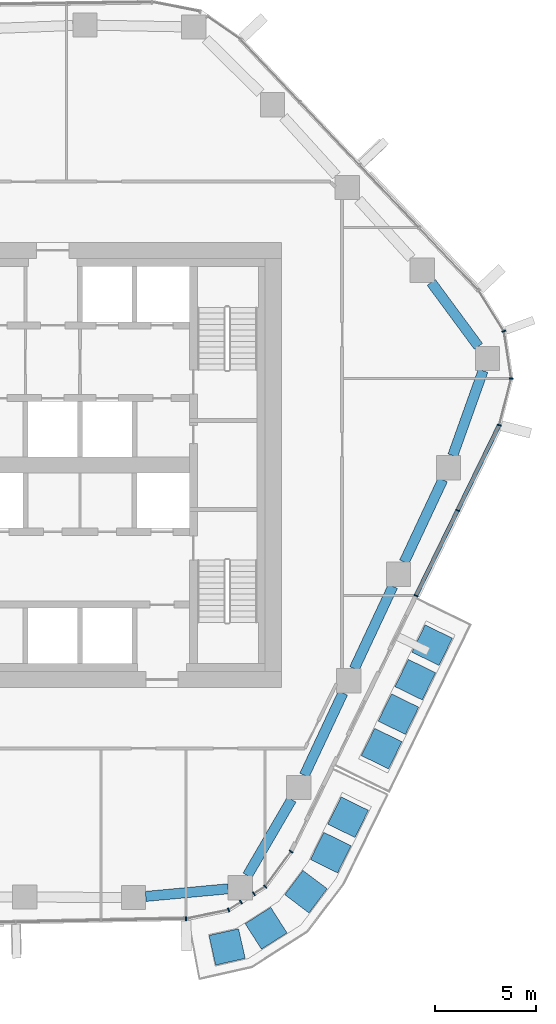
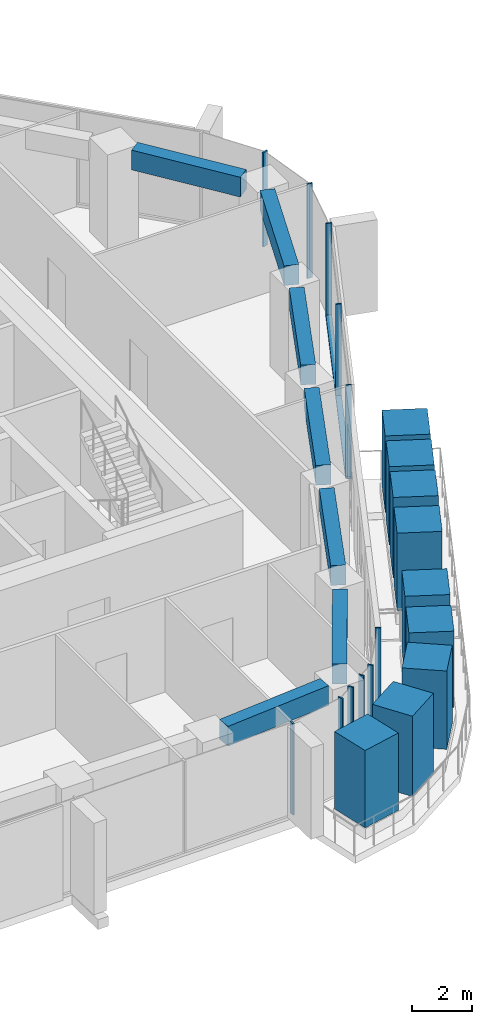
# One storey, part 5 of 18: 21 members, 7 beams, 5 elements without a shape of their own.
"""IFC4 building model written with IfcOpenShell, lengths in metres."""

from ifc_helpers import new_model, si_unit, direction, frame, origin, origin_2d, place, context, subcontext, project, spatial, rectangle, extrude, material, layer, layer_set, material_profile, profile_set, type_object, element, aggregate, save


model = new_model("IFC4")

# Units and contexts
model_context = context("Model", 3, precision=1e-05, world=origin(), true_north=direction((0.0, 1.0)))
body_context = subcontext(model_context, "Body", "Model", "MODEL_VIEW")
ifc_project = project(units=[si_unit("LENGTHUNIT", "METRE"), si_unit("AREAUNIT", "SQUARE_METRE"), si_unit("VOLUMEUNIT", "CUBIC_METRE"), si_unit("PLANEANGLEUNIT", "RADIAN"), si_unit("MASSUNIT", "GRAM", prefix="KILO")], contexts=[model_context])

# Site, building, storey
site_placement = place(None, origin())
site = spatial("IfcSite", under=ifc_project, at=site_placement, CompositionType="ELEMENT")
building_placement = place(site_placement, origin())
building = spatial("IfcBuilding", under=site, at=building_placement, Name="Dongbaek Canopy Tower", CompositionType="ELEMENT")
storey_placement = place(building_placement, frame((0.0, 0.0, 162.800048828125)))
storey = spatial("IfcBuildingStorey", under=building, at=storey_placement, Name="L35", CompositionType="ELEMENT", Elevation=162.800048828125)

# Curtain wall, members
ifc_material_1 = material(Name="Aluminium 6063-T6 pale anodised", Category="aluminium")
ifc_layer = layer(ifc_material_1, 0.199951171875)
ifc_layer_set = layer_set([ifc_layer], Name="CW-1 unitised tower curtain wall")
curtain_wall_type = type_object("IfcCurtainWallType", Name="CW-1 unitised tower curtain wall", PredefinedType="NOTDEFINED", material=ifc_layer_set)
curtain_wall_1_placement = place(storey_placement, origin())
curtain_wall_1 = element("IfcCurtainWall", 1, at=curtain_wall_1_placement, inside=storey, type_object=curtain_wall_type, Name="CW-1 curtain wall K0.1", PredefinedType="NOTDEFINED")
ifc_material_2 = material(Name="Aluminium 6063-T6 pale anodised", Category="aluminium")
ifc_material_profile_1 = material_profile(ifc_material_2, rectangle(XDim=0.199951171875, YDim=0.06005859375, at=origin_2d()), Name="CW-1 mullion 60 x 200")
ifc_profile_set_1 = profile_set([ifc_material_profile_1], Name="Aluminium 6063-T6 pale anodised")
member_type_1 = type_object("IfcMemberType", Name="CW-1 mullion 60 x 200", PredefinedType="MULLION", material=ifc_profile_set_1)
member_1_placement = place(storey_placement, frame((24.76123046875, 1.9658203125, 0.0), z_axis=(0.0, 0.0, 1.0), x_axis=(0.968425118829, -0.249304611313, 0.0)))
member_1 = element("IfcMember", 2, at=member_1_placement, type_object=member_type_1, Name="CW-1 mullion K0.1.1", PredefinedType="MULLION", context=body_context, shape_type="SweptSolid", body=[
    extrude(rectangle(XDim=0.199951171875, YDim=0.06005859375, at=origin_2d()), origin(), (0.0, 0.0, 1.0), 3.820068359375),
])
member_2_placement = place(storey_placement, frame((25.354248046875, 4.26953125, 0.0), z_axis=(0.0, 0.0, 1.0), x_axis=(0.998759637263, -0.04979143475, 0.0)))
member_2 = element("IfcMember", 3, at=member_2_placement, type_object=member_type_1, Name="CW-1 mullion K0.1.2", PredefinedType="MULLION", context=body_context, shape_type="SweptSolid", body=[
    extrude(rectangle(XDim=0.199951171875, YDim=0.06005859375, at=origin_2d()), origin(), (0.0, 0.0, 1.0), 3.820068359375),
])
member_3_placement = place(storey_placement, frame((24.994873046875, 6.6103515625, 0.0), z_axis=(0.0, 0.0, 1.0), x_axis=(0.937824276547, 0.347110395003, 0.0)))
member_3 = element("IfcMember", 4, at=member_3_placement, type_object=member_type_1, Name="CW-1 mullion K0.1.3", PredefinedType="MULLION", context=body_context, shape_type="SweptSolid", body=[
    extrude(rectangle(XDim=0.199951171875, YDim=0.06005859375, at=origin_2d()), origin(), (0.0, 0.0, 1.0), 3.820068359375),
])
aggregate(curtain_wall_1, [member_1, member_2, member_3])

# Curtain wall, member
curtain_wall_2_placement = place(storey_placement, origin())
curtain_wall_2 = element("IfcCurtainWall", 5, at=curtain_wall_2_placement, inside=storey, type_object=curtain_wall_type, Name="CW-1 curtain wall F4.1", PredefinedType="NOTDEFINED")
member_4_placement = place(storey_placement, frame((9.2841796875, -22.41845703125, 0.119873046875), z_axis=(0.0, 0.0, 1.0), x_axis=(0.020514717954, -0.999789551029, 0.0)))
member_4 = element("IfcMember", 6, at=member_4_placement, type_object=member_type_1, Name="CW-1 mullion F4.1.5", PredefinedType="MULLION", context=body_context, shape_type="SweptSolid", body=[
    extrude(rectangle(XDim=0.199951171875, YDim=0.06005859375, at=origin_2d()), origin(), (0.0, 0.0, 1.0), 3.7001953125),
])
aggregate(curtain_wall_2, [member_4])

# Curtain wall, members
curtain_wall_3_placement = place(storey_placement, origin())
curtain_wall_3 = element("IfcCurtainWall", 7, at=curtain_wall_3_placement, inside=storey, type_object=curtain_wall_type, Name="CW-1 curtain wall K5.1a", PredefinedType="NOTDEFINED")
member_5_placement = place(storey_placement, frame((11.392578125, -21.98388671875, 0.0), z_axis=(0.0, 0.0, 1.0), x_axis=(0.376398173311, -0.92645799426, 0.0)))
member_5 = element("IfcMember", 8, at=member_5_placement, type_object=member_type_1, Name="CW-1 mullion K5.1a.2", PredefinedType="MULLION", context=body_context, shape_type="SweptSolid", body=[
    extrude(rectangle(XDim=0.199951171875, YDim=0.06005859375, at=origin_2d()), origin(), (0.0, 0.0, 1.0), 3.820068359375),
])
member_6_placement = place(storey_placement, frame((12.001953125, -21.594482421875, 0.0), z_axis=(0.0, 0.0, 1.0), x_axis=(0.538452968789, -0.842655564511, 0.0)))
member_6 = element("IfcMember", 9, at=member_6_placement, type_object=member_type_1, Name="CW-1 mullion K5.1a.3", PredefinedType="MULLION", context=body_context, shape_type="SweptSolid", body=[
    extrude(rectangle(XDim=0.199951171875, YDim=0.06005859375, at=origin_2d()), origin(), (0.0, 0.0, 1.0), 3.820068359375),
])
aggregate(curtain_wall_3, [member_5, member_6])

curtain_wall_4_placement = place(storey_placement, origin())
curtain_wall_4 = element("IfcCurtainWall", 10, at=curtain_wall_4_placement, inside=storey, type_object=curtain_wall_type, Name="CW-1 curtain wall K5.1b", PredefinedType="NOTDEFINED")
member_7_placement = place(storey_placement, frame((12.64208984375, -21.185546875, 0.0), z_axis=(0.0, 0.0, 1.0), x_axis=(0.538452968789, -0.842655564511, 0.0)))
member_7 = element("IfcMember", 11, at=member_7_placement, type_object=member_type_1, Name="CW-1 mullion K5.1b.1", PredefinedType="MULLION", context=body_context, shape_type="SweptSolid", body=[
    extrude(rectangle(XDim=0.199951171875, YDim=0.06005859375, at=origin_2d()), origin(), (0.0, 0.0, 1.0), 3.820068359375),
])
member_8_placement = place(storey_placement, frame((13.198486328125, -20.830078125, 0.0), z_axis=(0.0, 0.0, 1.0), x_axis=(0.682585570445, -0.730805678016, 0.0)))
member_8 = element("IfcMember", 12, at=member_8_placement, type_object=member_type_1, Name="CW-1 mullion K5.1b.2", PredefinedType="MULLION", context=body_context, shape_type="SweptSolid", body=[
    extrude(rectangle(XDim=0.199951171875, YDim=0.06005859375, at=origin_2d()), origin(), (0.0, 0.0, 1.0), 3.820068359375),
])
member_9_placement = place(storey_placement, frame((14.478515625, -19.099365234375, 0.0), z_axis=(0.0, 0.0, 1.0), x_axis=(0.803998581724, -0.594631213935, 0.0)))
member_9 = element("IfcMember", 13, at=member_9_placement, type_object=member_type_1, Name="CW-1 mullion K5.1b.3", PredefinedType="MULLION", context=body_context, shape_type="SweptSolid", body=[
    extrude(rectangle(XDim=0.199951171875, YDim=0.06005859375, at=origin_2d()), origin(), (0.0, 0.0, 1.0), 3.820068359375),
])
aggregate(curtain_wall_4, [member_7, member_8, member_9])

curtain_wall_5_placement = place(storey_placement, origin())
curtain_wall_5 = element("IfcCurtainWall", 14, at=curtain_wall_5_placement, inside=storey, type_object=curtain_wall_type, Name="CW-1 curtain wall F5.1", PredefinedType="NOTDEFINED")
member_10_placement = place(storey_placement, frame((20.649169921875, -6.4580078125, 0.119873046875), z_axis=(0.0, 0.0, 1.0), x_axis=(0.898650818606, -0.438664685403, 0.0)))
member_10 = element("IfcMember", 15, at=member_10_placement, type_object=member_type_1, Name="CW-1 mullion F5.1.1", PredefinedType="MULLION", context=body_context, shape_type="SweptSolid", body=[
    extrude(rectangle(XDim=0.199951171875, YDim=0.06005859375, at=origin_2d()), origin(), (0.0, 0.0, 1.0), 3.7001953125),
])
member_11_placement = place(storey_placement, frame((22.707275390625, -2.241455078125, 0.119873046875), z_axis=(0.0, 0.0, 1.0), x_axis=(0.898650818606, -0.438664685403, 0.0)))
member_11 = element("IfcMember", 16, at=member_11_placement, type_object=member_type_1, Name="CW-1 mullion F5.1.2", PredefinedType="MULLION", context=body_context, shape_type="SweptSolid", body=[
    extrude(rectangle(XDim=0.199951171875, YDim=0.06005859375, at=origin_2d()), origin(), (0.0, 0.0, 1.0), 3.7001953125),
])
ifc_material_3 = material(Name="Aluminium 6063-T6 pale anodised", Category="aluminium")
ifc_material_profile_2 = material_profile(ifc_material_3, rectangle(XDim=0.199951171875, YDim=0.1201171875, at=origin_2d()), Name="CW-1 transom 120 x 200")
ifc_profile_set_2 = profile_set([ifc_material_profile_2], Name="Aluminium 6063-T6 pale anodised")
member_type_2 = type_object("IfcMemberType", Name="CW-1 transom 120 x 200", PredefinedType="USERDEFINED", material=ifc_profile_set_2)
member_12_placement = place(storey_placement, frame((20.649169921875, -6.4580078125, 0.06005859375), z_axis=(0.438671459596, 0.89864751184, 0.0), x_axis=(-0.89864751184, 0.438671459596, 0.0)))
member_12 = element("IfcMember", 17, at=member_12_placement, type_object=member_type_2, Name="CW-1 transom F5.1.1", ObjectType="TRANSOM", PredefinedType="USERDEFINED", context=body_context, shape_type="SweptSolid", body=[
    extrude(rectangle(XDim=0.199951171875, YDim=0.1201171875, at=origin_2d()), origin(), (0.0, 0.0, 1.0), 9.373779296875),
])
aggregate(curtain_wall_5, [member_10, member_11, member_12])

# Beams
ifc_material_4 = material(Name="Concrete C70", Category="concrete")
ifc_material_profile_3 = material_profile(ifc_material_4, rectangle(XDim=0.5, YDim=0.800048828125, at=origin_2d()), Name="RC EDGE BEAM 500x800 C70")
ifc_profile_set_3 = profile_set([ifc_material_profile_3], Name="Concrete C70")
beam_type = type_object("IfcBeamType", Name="RC EDGE BEAM 500x800 C70", PredefinedType="BEAM", material=ifc_profile_set_3)
beam_1_placement = place(storey_placement, frame((11.3720703125, -20.9404296875, 3.419921875), z_axis=(-0.995763065099, -0.091956066598, 0.0), x_axis=(0.091956066598, -0.995763065099, 0.0)))
element("IfcBeam", 18, at=beam_1_placement, inside=storey, type_object=beam_type, Name="EDGEBEAM:L35:00", PredefinedType="BEAM", context=body_context, shape_type="SweptSolid", body=[
    extrude(rectangle(XDim=0.5, YDim=0.800048828125, at=origin_2d()), origin(), (0.0, 0.0, 1.0), 4.09130859375),
])
beam_2_placement = place(storey_placement, frame((21.402587890625, 9.02099609375, 3.419921875), z_axis=(0.593743199573, -0.804654592332, 0.0), x_axis=(0.804654592332, 0.593743199573, 0.0)))
element("IfcBeam", 19, at=beam_2_placement, inside=storey, type_object=beam_type, Name="EDGEBEAM:L35:20", PredefinedType="BEAM", context=body_context, shape_type="SweptSolid", body=[
    extrude(rectangle(XDim=0.5, YDim=0.800048828125, at=origin_2d()), origin(), (0.0, 0.0, 1.0), 3.93212890625),
])
beam_3_placement = place(storey_placement, frame((23.965576171875, 4.656982421875, 3.419921875), z_axis=(-0.336398951073, -0.941719568511, 0.0), x_axis=(0.941719568511, -0.336398951073, 0.0)))
element("IfcBeam", 20, at=beam_3_placement, inside=storey, type_object=beam_type, Name="EDGEBEAM:L35:21", PredefinedType="BEAM", context=body_context, shape_type="SweptSolid", body=[
    extrude(rectangle(XDim=0.5, YDim=0.800048828125, at=origin_2d()), origin(), (0.0, 0.0, 1.0), 4.4501953125),
])
beam_4_placement = place(storey_placement, frame((21.972900390625, -0.73388671875, 3.419921875), z_axis=(-0.424114752544, -0.905608456605, 0.0), x_axis=(0.905608456605, -0.424114752544, 0.0)))
element("IfcBeam", 21, at=beam_4_placement, inside=storey, type_object=beam_type, Name="EDGEBEAM:L35:22", PredefinedType="BEAM", context=body_context, shape_type="SweptSolid", body=[
    extrude(rectangle(XDim=0.5, YDim=0.800048828125, at=origin_2d()), origin(), (0.0, 0.0, 1.0), 4.489013671875),
])
beam_5_placement = place(storey_placement, frame((19.507080078125, -5.9990234375, 3.419921875), z_axis=(-0.424057758342, -0.905635145956, 0.0), x_axis=(0.905635145956, -0.424057758342, 0.0)))
element("IfcBeam", 22, at=beam_5_placement, inside=storey, type_object=beam_type, Name="EDGEBEAM:L35:23", PredefinedType="BEAM", context=body_context, shape_type="SweptSolid", body=[
    extrude(rectangle(XDim=0.5, YDim=0.800048828125, at=origin_2d()), origin(), (0.0, 0.0, 1.0), 4.49072265625),
])
beam_6_placement = place(storey_placement, frame((17.041015625, -11.26611328125, 3.419921875), z_axis=(-0.424275059541, -0.905533364295, 0.0), x_axis=(0.905533364295, -0.424275059541, 0.0)))
element("IfcBeam", 23, at=beam_6_placement, inside=storey, type_object=beam_type, Name="EDGEBEAM:L35:24", PredefinedType="BEAM", context=body_context, shape_type="SweptSolid", body=[
    extrude(rectangle(XDim=0.5, YDim=0.800048828125, at=origin_2d()), origin(), (0.0, 0.0, 1.0), 4.489990234375),
])
beam_7_placement = place(storey_placement, frame((14.505859375, -16.531982421875, 3.419921875), z_axis=(-0.503073799677, -0.864243456486, 0.0), x_axis=(0.864243456486, -0.503073799677, 0.0)))
element("IfcBeam", 24, at=beam_7_placement, inside=storey, type_object=beam_type, Name="EDGEBEAM:L35:25", PredefinedType="BEAM", context=body_context, shape_type="SweptSolid", body=[
    extrude(rectangle(XDim=0.5, YDim=0.800048828125, at=origin_2d()), origin(), (0.0, 0.0, 1.0), 4.342529296875),
])

# Members
ifc_material_5 = material(Name="Concrete C40/50 planter mass with planting", Category="concrete")
ifc_material_profile_4 = material_profile(ifc_material_5, rectangle(XDim=1.5, YDim=1.5, at=origin_2d()), Name="Terrace PLANTER shrub mass 1500 x 1500")
ifc_profile_set_4 = profile_set([ifc_material_profile_4], Name="Concrete C40/50 planter mass with planting")
member_type_3 = type_object("IfcMemberType", Name="Terrace PLANTER shrub mass 1500 x 1500", PredefinedType="USERDEFINED", material=ifc_profile_set_4)
member_13_placement = place(storey_placement, frame((18.951904296875, -14.015625, 0.419921875), z_axis=(0.0, 0.0, 1.0), x_axis=(0.898650818606, -0.438664685403, 0.0)))
element("IfcMember", 25, at=member_13_placement, inside=storey, type_object=member_type_3, Name="Planter shrubs L35 2.1", ObjectType="PLANTER", PredefinedType="USERDEFINED", context=body_context, shape_type="SweptSolid", body=[
    extrude(rectangle(XDim=1.5, YDim=1.5, at=origin_2d()), origin(), (0.0, 0.0, 1.0), 3.130126953125),
])
member_14_placement = place(storey_placement, frame((19.78369140625, -12.311767578125, 0.419921875), z_axis=(0.0, 0.0, 1.0), x_axis=(0.898650818606, -0.438664685403, 0.0)))
element("IfcMember", 26, at=member_14_placement, inside=storey, type_object=member_type_3, Name="Planter shrubs L35 2.2", ObjectType="PLANTER", PredefinedType="USERDEFINED", context=body_context, shape_type="SweptSolid", body=[
    extrude(rectangle(XDim=1.5, YDim=1.5, at=origin_2d()), origin(), (0.0, 0.0, 1.0), 3.25),
])
member_15_placement = place(storey_placement, frame((20.615234375, -10.60791015625, 0.419921875), z_axis=(0.0, 0.0, 1.0), x_axis=(0.898650818606, -0.438664685403, 0.0)))
element("IfcMember", 27, at=member_15_placement, inside=storey, type_object=member_type_3, Name="Planter shrubs L35 2.3", ObjectType="PLANTER", PredefinedType="USERDEFINED", context=body_context, shape_type="SweptSolid", body=[
    extrude(rectangle(XDim=1.5, YDim=1.5, at=origin_2d()), origin(), (0.0, 0.0, 1.0), 3.169921875),
])
member_16_placement = place(storey_placement, frame((21.447021484375, -8.904052734375, 0.419921875), z_axis=(0.0, 0.0, 1.0), x_axis=(0.898650818606, -0.438664685403, 0.0)))
element("IfcMember", 28, at=member_16_placement, inside=storey, type_object=member_type_3, Name="Planter shrubs L35 2.4", ObjectType="PLANTER", PredefinedType="USERDEFINED", context=body_context, shape_type="SweptSolid", body=[
    extrude(rectangle(XDim=1.5, YDim=1.5, at=origin_2d()), origin(), (0.0, 0.0, 1.0), 3.090087890625),
])
member_17_placement = place(storey_placement, frame((11.31689453125, -23.812744140625, 0.419921875), z_axis=(0.0, 0.0, 1.0), x_axis=(0.219698440725, -0.975567832159, 0.0)))
element("IfcMember", 29, at=member_17_placement, inside=storey, type_object=member_type_3, Name="Planter shrubs L35 4.1", ObjectType="PLANTER", PredefinedType="USERDEFINED", context=body_context, shape_type="SweptSolid", body=[
    extrude(rectangle(XDim=1.5, YDim=1.5, at=origin_2d()), origin(), (0.0, 0.0, 1.0), 3.130126953125),
])
member_18_placement = place(storey_placement, frame((13.244140625, -22.8916015625, 0.419921875), z_axis=(0.0, 0.0, 1.0), x_axis=(0.538452968789, -0.842655564511, 0.0)))
element("IfcMember", 30, at=member_18_placement, inside=storey, type_object=member_type_3, Name="Planter shrubs L35 4.2", ObjectType="PLANTER", PredefinedType="USERDEFINED", context=body_context, shape_type="SweptSolid", body=[
    extrude(rectangle(XDim=1.5, YDim=1.5, at=origin_2d()), origin(), (0.0, 0.0, 1.0), 3.25),
])
member_19_placement = place(storey_placement, frame((15.21533203125, -21.083740234375, 0.419921875), z_axis=(0.0, 0.0, 1.0), x_axis=(0.799227668184, -0.60102839734, 0.0)))
element("IfcMember", 31, at=member_19_placement, inside=storey, type_object=member_type_3, Name="Planter shrubs L35 4.3", ObjectType="PLANTER", PredefinedType="USERDEFINED", context=body_context, shape_type="SweptSolid", body=[
    extrude(rectangle(XDim=1.5, YDim=1.5, at=origin_2d()), origin(), (0.0, 0.0, 1.0), 3.169921875),
])
member_20_placement = place(storey_placement, frame((16.43798828125, -19.153564453125, 0.419921875), z_axis=(0.0, 0.0, 1.0), x_axis=(0.897856053685, -0.440289117356, 0.0)))
element("IfcMember", 32, at=member_20_placement, inside=storey, type_object=member_type_3, Name="Planter shrubs L35 4.4", ObjectType="PLANTER", PredefinedType="USERDEFINED", context=body_context, shape_type="SweptSolid", body=[
    extrude(rectangle(XDim=1.5, YDim=1.5, at=origin_2d()), origin(), (0.0, 0.0, 1.0), 3.090087890625),
])
member_21_placement = place(storey_placement, frame((17.295654296875, -17.404541015625, 0.419921875), z_axis=(0.0, 0.0, 1.0), x_axis=(0.897856053685, -0.440289117356, 0.0)))
element("IfcMember", 33, at=member_21_placement, inside=storey, type_object=member_type_3, Name="Planter shrubs L35 4.5", ObjectType="PLANTER", PredefinedType="USERDEFINED", context=body_context, shape_type="SweptSolid", body=[
    extrude(rectangle(XDim=1.5, YDim=1.5, at=origin_2d()), origin(), (0.0, 0.0, 1.0), 3.2099609375),
])

save(model, "model.ifc")
